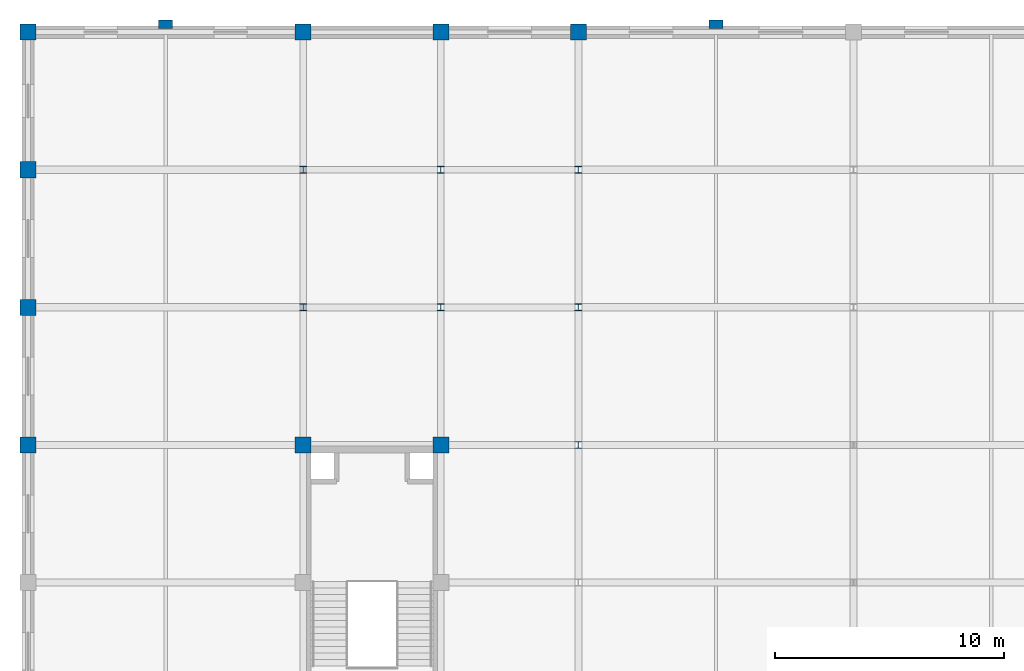
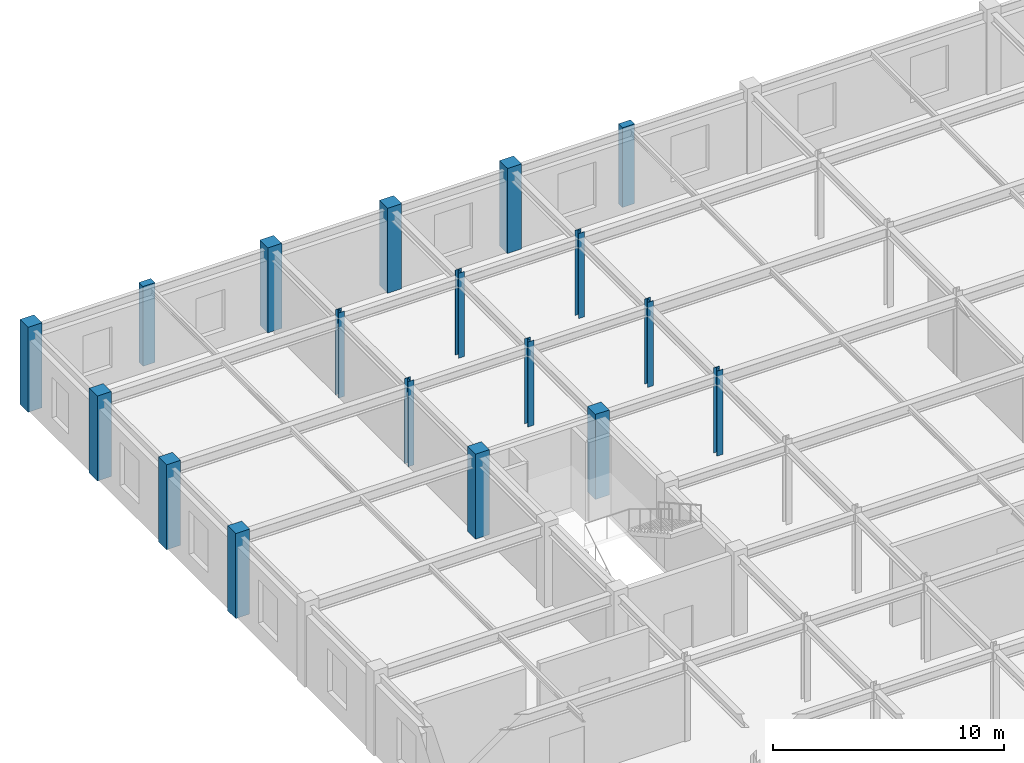
# One storey, part 12 of 108: 18 columns.
"""IFC4 building model written with IfcOpenShell, lengths in metres."""

from ifc_helpers import new_model, si_unit, direction, frame, origin, origin_2d, place, context, subcontext, project, spatial, rectangle, i_section, extrude, material, material_profile, profile_set, type_object, element, save


model = new_model("IFC4")

# Units and contexts
model_context = context("Model", 3, precision=1e-05, world=origin(), true_north=direction((0.0, 1.0)))
body_context = subcontext(model_context, "Body", "Model", "MODEL_VIEW")
ifc_project = project(units=[si_unit("LENGTHUNIT", "METRE"), si_unit("AREAUNIT", "SQUARE_METRE"), si_unit("VOLUMEUNIT", "CUBIC_METRE"), si_unit("PLANEANGLEUNIT", "RADIAN"), si_unit("MASSUNIT", "GRAM", prefix="KILO")], contexts=[model_context])

# Site, building, storey
site_placement = place(None, origin())
site = spatial("IfcSite", under=ifc_project, at=site_placement, CompositionType="ELEMENT")
building_placement = place(site_placement, origin())
building = spatial("IfcBuilding", under=site, at=building_placement, Name="Zlatovratsky Civic Hall", CompositionType="ELEMENT")
storey_placement = place(building_placement, frame((0.0, 0.0, 12.0)))
storey = spatial("IfcBuildingStorey", under=building, at=storey_placement, Name="L03", CompositionType="ELEMENT", Elevation=12.0)

# Columns
ifc_material_1 = material(Name="Concrete C35/45 (B40)", Category="concrete")
ifc_material_profile_1 = material_profile(ifc_material_1, rectangle(XDim=0.699951171875, YDim=0.699951171875, at=origin_2d()), Name="RC 700x700")
ifc_profile_set_1 = profile_set([ifc_material_profile_1], Name="Concrete C35/45 (B40)")
column_type_1 = type_object("IfcColumnType", Name="Col_CorePier_RC700", PredefinedType="COLUMN", material=ifc_profile_set_1)
for number, where, z_axis, x_axis, name in (
    (1, (0.0, 96.0, 0.0), (0.0, 0.0, 1.0), (1.0, 0.0, 0.0), "CL-1459"),
    (2, (12.0, 96.0, 0.0), (0.0, 0.0, 1.0), (1.0, 0.0, 0.0), "CL-1460"),
    (3, (18.0, 96.0, 0.0), (0.0, 0.0, 1.0), (1.0, 0.0, 0.0), "CL-1461"),
    (4, (0.0, 102.0, 0.0), (0.0, 0.0, 1.0), (1.0, 0.0, 0.0), "CL-1482"),
    (5, (0.0, 108.0, 0.0), (0.0, 0.0, 1.0), (1.0, 0.0, 0.0), "CL-1505"),
    (6, (0.0, 114.0, 0.0), (0.0, 0.0, 1.0), (1.0, 0.0, 0.0), "CL-1528"),
    (7, (12.0, 114.0, 0.0), (0.0, 0.0, 1.0), (1.0, 0.0, 0.0), "CL-1529"),
    (8, (18.0, 114.0, 0.0), (0.0, 0.0, 1.0), (1.0, 0.0, 0.0), "CL-1530"),
    (9, (24.0, 114.0, 0.0), (0.0, 0.0, 1.0), (1.0, 0.0, 0.0), "CL-1531"),
):
    element("IfcColumn", number, at=place(storey_placement, frame(where, z_axis=z_axis, x_axis=x_axis)), inside=storey, type_object=column_type_1, Name=name, PredefinedType="COLUMN", context=body_context, shape_type="SweptSolid", body=[
        extrude(rectangle(XDim=0.699951171875, YDim=0.699951171875, at=origin_2d()), origin(), (0.0, 0.0, 1.0), 4.5),
    ])
ifc_material_2 = material(Name="Steel S355", Category="steel")
ifc_material_profile_2 = material_profile(ifc_material_2, i_section(OverallWidth=0.299072265625, OverallDepth=0.2958984375, WebThickness=0.009033203125, FlangeThickness=0.013916015625, FilletRadius=0.01806640625, at=origin_2d()), Name="30K1")
ifc_profile_set_2 = profile_set([ifc_material_profile_2], Name="Steel S355")
column_type_2 = type_object("IfcColumnType", Name="Col_Steel_30K1", PredefinedType="COLUMN", material=ifc_profile_set_2)
for number, where, z_axis, x_axis, name in (
    (10, (24.0, 96.0, 0.0), (0.0, 0.0, 1.0), (1.0, 0.0, 0.0), "CL-1462"),
    (11, (12.0, 102.0, 0.0), (0.0, 0.0, 1.0), (1.0, 0.0, 0.0), "CL-1483"),
    (12, (18.0, 102.0, 0.0), (0.0, 0.0, 1.0), (1.0, 0.0, 0.0), "CL-1484"),
    (13, (24.0, 102.0, 0.0), (0.0, 0.0, 1.0), (1.0, 0.0, 0.0), "CL-1485"),
    (14, (12.0, 108.0, 0.0), (0.0, 0.0, 1.0), (1.0, 0.0, 0.0), "CL-1506"),
    (15, (18.0, 108.0, 0.0), (0.0, 0.0, 1.0), (1.0, 0.0, 0.0), "CL-1507"),
    (16, (24.0, 108.0, 0.0), (0.0, 0.0, 1.0), (1.0, 0.0, 0.0), "CL-1508"),
):
    element("IfcColumn", number, at=place(storey_placement, frame(where, z_axis=z_axis, x_axis=x_axis)), inside=storey, type_object=column_type_2, Name=name, PredefinedType="COLUMN", context=body_context, shape_type="SweptSolid", body=[
        extrude(i_section(OverallWidth=0.299072265625, OverallDepth=0.2958984375, WebThickness=0.009033203125, FlangeThickness=0.013916015625, FilletRadius=0.01806640625, at=origin_2d()), origin(), (0.0, 0.0, 1.0), 4.5),
    ])
ifc_material_profile_3 = material_profile(ifc_material_1, rectangle(XDim=0.60009765625, YDim=0.360107421875, at=origin_2d()), Name="RC 600x360")
ifc_profile_set_3 = profile_set([ifc_material_profile_3], Name="Concrete C35/45 (B40)")
column_type_3 = type_object("IfcColumnType", Name="Pilaster_Classical_RC600x360", PredefinedType="PILASTER", material=ifc_profile_set_3)
for number, where, z_axis, x_axis, name in (
    (17, (6.0, 114.35009765625, 0.0), (0.0, 0.0, 1.0), (1.0, 0.0, 0.0), "CL-2743"),
    (18, (30.0, 114.35009765625, 0.0), (0.0, 0.0, 1.0), (1.0, 0.0, 0.0), "CL-2744"),
):
    element("IfcColumn", number, at=place(storey_placement, frame(where, z_axis=z_axis, x_axis=x_axis)), inside=storey, type_object=column_type_3, Name=name, PredefinedType="PILASTER", context=body_context, shape_type="SweptSolid", body=[
        extrude(rectangle(XDim=0.60009765625, YDim=0.360107421875, at=origin_2d()), origin(), (0.0, 0.0, 1.0), 4.219970703125),
    ])

save(model, "model.ifc")
